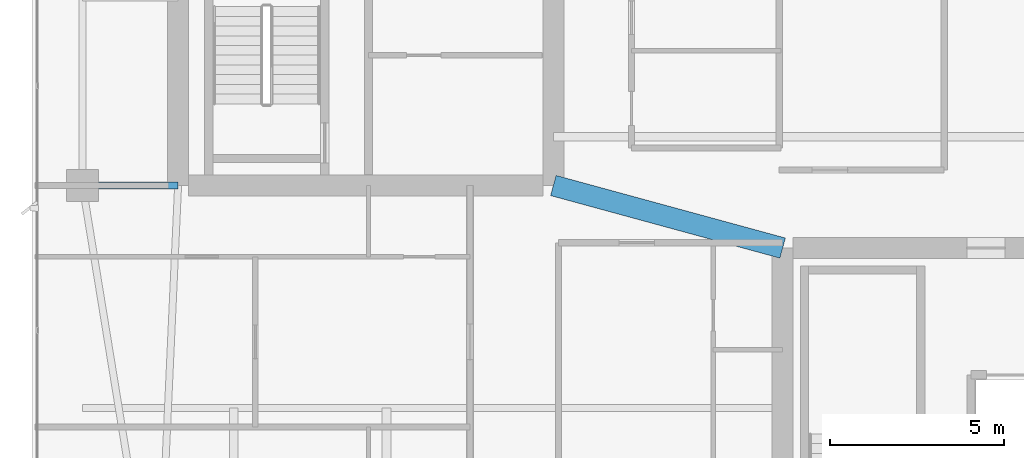
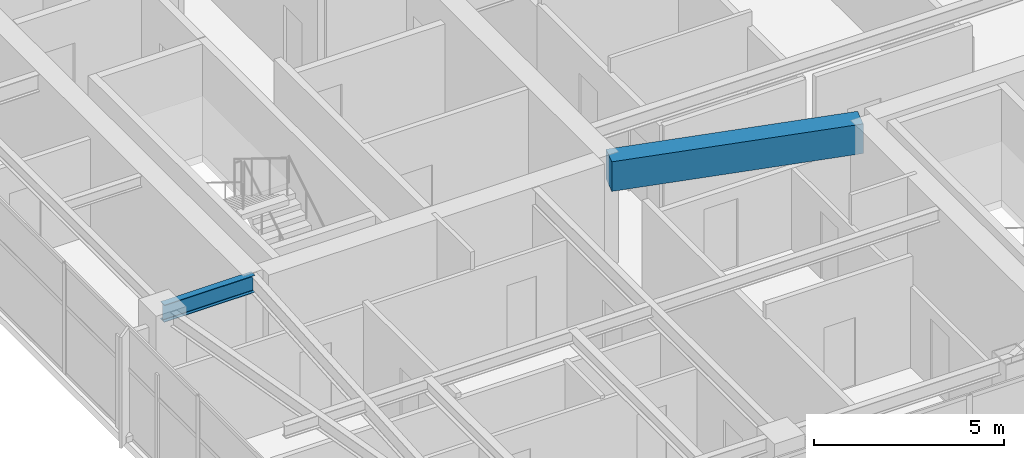
# One storey, part 9 of 27: 2 beams.
"""IFC4 building model written with IfcOpenShell, lengths in metres."""

from ifc_helpers import new_model, si_unit, direction, frame, origin, origin_2d, place, context, subcontext, project, spatial, rectangle, i_section, extrude, material, material_profile, profile_set, type_object, element, save


model = new_model("IFC4")

# Units and contexts
model_context = context("Model", 3, precision=1e-05, world=origin(), true_north=direction((0.0, 1.0)))
body_context = subcontext(model_context, "Body", "Model", "MODEL_VIEW")
ifc_project = project(units=[si_unit("LENGTHUNIT", "METRE"), si_unit("AREAUNIT", "SQUARE_METRE"), si_unit("VOLUMEUNIT", "CUBIC_METRE"), si_unit("PLANEANGLEUNIT", "RADIAN"), si_unit("MASSUNIT", "GRAM", prefix="KILO")], contexts=[model_context])

# Site, building, storey
site_placement = place(None, origin())
site = spatial("IfcSite", under=ifc_project, at=site_placement, CompositionType="ELEMENT")
building_placement = place(site_placement, origin())
building = spatial("IfcBuilding", under=site, at=building_placement, Name="Calvorn Quay Hotel", CompositionType="ELEMENT")
storey_placement = place(building_placement, frame((0.0, 0.0, 294.89990234375)))
storey = spatial("IfcBuildingStorey", under=building, at=storey_placement, Name="L73", CompositionType="ELEMENT", Elevation=294.89990234375)

# Beams
ifc_material_1 = material(Name="Steel Q355B", Category="steel")
ifc_material_profile_1 = material_profile(ifc_material_1, i_section(OverallWidth=0.199951171875, OverallDepth=0.550048828125, WebThickness=0.010009765625, FlangeThickness=0.01611328125, FilletRadius=0.01806640625, at=origin_2d()), Name="HN550x200x10x16")
ifc_profile_set_1 = profile_set([ifc_material_profile_1], Name="Steel Q355B")
beam_type_1 = type_object("IfcBeamType", Name="BM-GIRD-UPP", PredefinedType="BEAM", material=ifc_profile_set_1)
beam_1_placement = place(storey_placement, frame((1.449951171875, 16.800048828125, 3.26513671875), z_axis=(1.0, 0.0, 0.0), x_axis=(0.0, 1.0, 0.0)))
element("IfcBeam", 1, at=beam_1_placement, inside=storey, type_object=beam_type_1, Name="Beam BG-L73-W1", PredefinedType="BEAM", context=body_context, shape_type="SweptSolid", body=[
    extrude(i_section(OverallWidth=0.199951171875, OverallDepth=0.550048828125, WebThickness=0.010009765625, FlangeThickness=0.01611328125, FilletRadius=0.01806640625, at=origin_2d()), origin(), (0.0, 0.0, 1.0), 2.75),
])
ifc_material_2 = material(Name="Concrete C45", Category="concrete")
ifc_material_profile_2 = material_profile(ifc_material_2, rectangle(XDim=0.60009765625, YDim=0.949951171875, at=origin_2d()), Name="RCB600x950")
ifc_profile_set_2 = profile_set([ifc_material_profile_2], Name="Concrete C45")
beam_type_2 = type_object("IfcBeamType", Name="BM-RC-LINK-600x950", PredefinedType="BEAM", material=ifc_profile_set_2)
beam_2_placement = place(storey_placement, frame((15.0, 16.800048828125, 3.065185546875), z_axis=(0.964762997686, -0.263120425462, 0.0), x_axis=(0.263120425462, 0.964762997686, 0.0)))
element("IfcBeam", 2, at=beam_2_placement, inside=storey, type_object=beam_type_2, Name="Beam BCL-L73-01", PredefinedType="BEAM", context=body_context, shape_type="SweptSolid", body=[
    extrude(rectangle(XDim=0.60009765625, YDim=0.949951171875, at=origin_2d()), origin(), (0.0, 0.0, 1.0), 6.841064453125),
])

save(model, "model.ifc")
